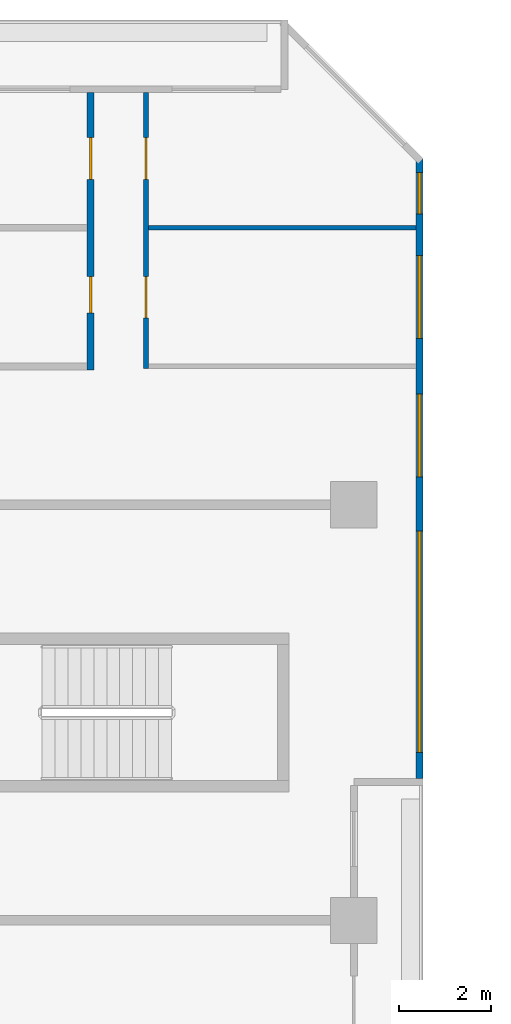
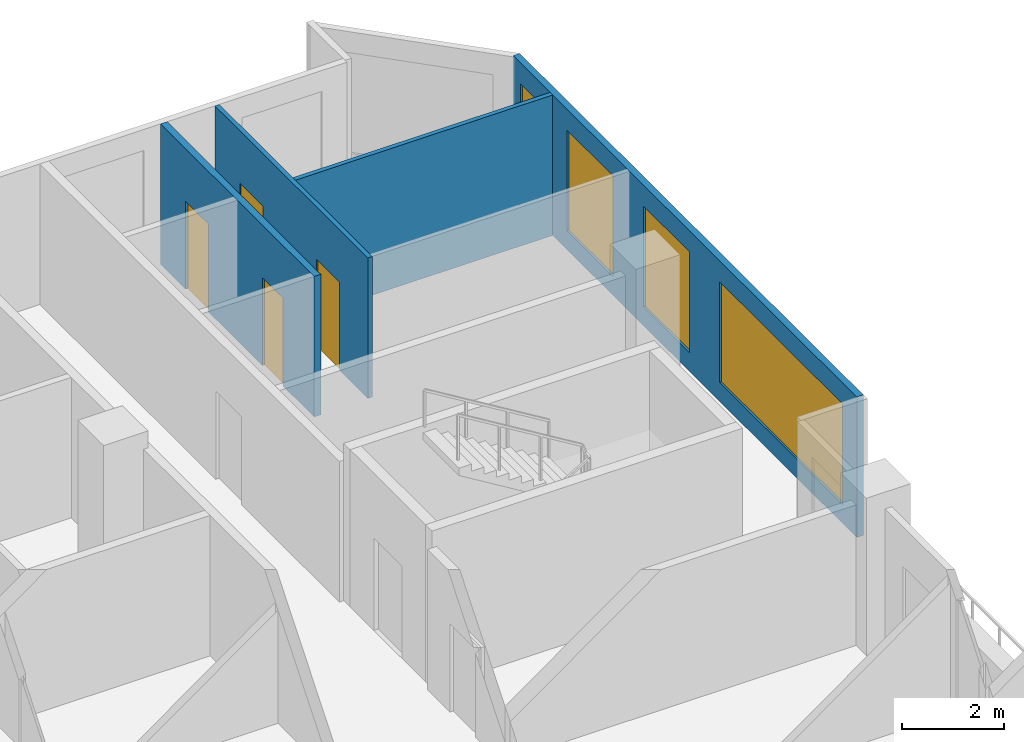
# One storey, part 11 of 15: 4 doors, 4 walls, 4 windows, 8 openings.
"""IFC4 building model written with IfcOpenShell, lengths in metres."""

from ifc_helpers import new_model, si_unit, direction, frame, frame_2d, origin, place, context, subcontext, project, spatial, rectangle, extrude, material, layer, layer_set, type_object, element, fill, save


model = new_model("IFC4")

# Units and contexts
model_context = context("Model", 3, precision=1e-05, world=origin(), true_north=direction((0.0, 1.0)))
body_context = subcontext(model_context, "Body", "Model", "MODEL_VIEW")
ifc_project = project(units=[si_unit("LENGTHUNIT", "METRE"), si_unit("AREAUNIT", "SQUARE_METRE"), si_unit("VOLUMEUNIT", "CUBIC_METRE"), si_unit("PLANEANGLEUNIT", "RADIAN"), si_unit("MASSUNIT", "GRAM", prefix="KILO")], contexts=[model_context])

# Site, building, storey
site_placement = place(None, origin())
site = spatial("IfcSite", under=ifc_project, at=site_placement, CompositionType="ELEMENT")
building_placement = place(site_placement, origin())
building = spatial("IfcBuilding", under=site, at=building_placement, Name="Chenar Terraces", CompositionType="ELEMENT")
storey_placement = place(building_placement, frame((0.0, 0.0, 133.14990234375)))
storey = spatial("IfcBuildingStorey", under=building, at=storey_placement, Name="L31", CompositionType="ELEMENT", Elevation=133.14990234375)

# Wall, openings, windows
ifc_material_1 = material(Name="Aluminium framed glazing", Category="aluminium")
ifc_layer_1 = layer(ifc_material_1, 0.14990234375)
ifc_layer_set_1 = layer_set([ifc_layer_1], Name="Aluminium framed glazing")
wall_type_1 = type_object("IfcWallType", Name="Glazed flush facade wall 150", PredefinedType="SOLIDWALL", material=ifc_layer_set_1)
wall_1_placement = place(storey_placement, frame((25.425048828125, 48.074951171875, 0.0), z_axis=(0.0, 0.0, 1.0), x_axis=(0.0, 1.0, 0.0)))
wall_1 = element("IfcWall", 1, at=wall_1_placement, inside=storey, type_object=wall_type_1, Name="Glazed flush facade wall", PredefinedType="SOLIDWALL", context=body_context, shape_type="SweptSolid", body=[
    extrude(rectangle(XDim=13.425048828125, YDim=0.14990234375, at=frame_2d((6.71240234375, 0.0))), origin(), (0.0, 0.0, 1.0), 3.35009765625),
])
opening_1_placement = place(wall_1_placement, frame((0.5625, 0.0, 0.449951171875)))
opening_1 = element("IfcOpeningElement", 2, at=opening_1_placement, cuts=wall_1, Name="Opening W480x240", PredefinedType="OPENING", context=body_context, shape_type="SweptSolid", body=[
    extrude(rectangle(XDim=4.800048828125, YDim=2.39990234375, at=frame_2d((2.39990234375, 1.199951171875))), frame((0.0, 0.0849609375, 0.0), z_axis=(0.0, -1.0, 0.0), x_axis=(1.0, 0.0, 0.0)), (0.0, 0.0, 1.0), 0.169921875),
])
opening_2_placement = place(wall_1_placement, frame((6.52490234375, 0.0, 0.449951171875)))
opening_2 = element("IfcOpeningElement", 3, at=opening_2_placement, cuts=wall_1, Name="Opening W180x240", PredefinedType="OPENING", context=body_context, shape_type="SweptSolid", body=[
    extrude(rectangle(XDim=1.800048828125, YDim=2.39990234375, at=frame_2d((0.89990234375, 1.199951171875))), frame((0.0, 0.0849609375, 0.0), z_axis=(0.0, -1.0, 0.0), x_axis=(1.0, 0.0, 0.0)), (0.0, 0.0, 1.0), 0.169921875),
])
opening_3_placement = place(wall_1_placement, frame((9.52490234375, 0.0, 0.449951171875)))
opening_3 = element("IfcOpeningElement", 4, at=opening_3_placement, cuts=wall_1, Name="Opening W180x240", PredefinedType="OPENING", context=body_context, shape_type="SweptSolid", body=[
    extrude(rectangle(XDim=1.800048828125, YDim=2.39990234375, at=frame_2d((0.89990234375, 1.199951171875))), frame((0.0, 0.0849609375, 0.0), z_axis=(0.0, -1.0, 0.0), x_axis=(1.0, 0.0, 0.0)), (0.0, 0.0, 1.0), 0.169921875),
])
opening_4_placement = place(wall_1_placement, frame((12.22509765625, 0.0, 0.449951171875)))
opening_4 = element("IfcOpeningElement", 5, at=opening_4_placement, cuts=wall_1, Name="Opening W90x240", PredefinedType="OPENING", context=body_context, shape_type="SweptSolid", body=[
    extrude(rectangle(XDim=0.89990234375, YDim=2.39990234375, at=frame_2d((0.449951171875, 1.199951171875))), frame((0.0, 0.0849609375, 0.0), z_axis=(0.0, -1.0, 0.0), x_axis=(1.0, 0.0, 0.0)), (0.0, 0.0, 1.0), 0.169921875),
])
ifc_material_2 = material(Name="Low emissivity double glazing, aluminium frame", Category="aluminium")
window_type_1 = type_object("IfcWindowType", Name="Fixed light 1800 x 2400", PartitioningType="SINGLE_PANEL", PredefinedType="WINDOW", material=ifc_material_2)
window_1_placement = place(opening_2_placement, origin())
window_1 = element("IfcWindow", 6, at=window_1_placement, inside=storey, type_object=window_type_1, Name="Window", OverallHeight=2.39990234375, OverallWidth=1.800048828125, PartitioningType="SINGLE_PANEL", PredefinedType="WINDOW", context=body_context, shape_type="SweptSolid", body=[
    extrude(rectangle(XDim=1.800048828125, YDim=2.39990234375, at=frame_2d((0.89990234375, 1.199951171875))), frame((0.0, 0.030029296875, 0.0), z_axis=(0.0, -1.0, 0.0), x_axis=(1.0, 0.0, 0.0)), (0.0, 0.0, 1.0), 0.06005859375),
])
fill(opening_2, window_1)
window_2_placement = place(opening_3_placement, origin())
window_2 = element("IfcWindow", 7, at=window_2_placement, inside=storey, type_object=window_type_1, Name="Window", OverallHeight=2.39990234375, OverallWidth=1.800048828125, PartitioningType="SINGLE_PANEL", PredefinedType="WINDOW", context=body_context, shape_type="SweptSolid", body=[
    extrude(rectangle(XDim=1.800048828125, YDim=2.39990234375, at=frame_2d((0.89990234375, 1.199951171875))), frame((0.0, 0.030029296875, 0.0), z_axis=(0.0, -1.0, 0.0), x_axis=(1.0, 0.0, 0.0)), (0.0, 0.0, 1.0), 0.06005859375),
])
fill(opening_3, window_2)
ifc_material_3 = material(Name="Low emissivity double glazing, aluminium frame", Category="aluminium")
window_type_2 = type_object("IfcWindowType", Name="Fixed light 4800 x 2400", PartitioningType="SINGLE_PANEL", PredefinedType="WINDOW", material=ifc_material_3)
window_3_placement = place(opening_1_placement, origin())
window_3 = element("IfcWindow", 8, at=window_3_placement, inside=storey, type_object=window_type_2, Name="Window", OverallHeight=2.39990234375, OverallWidth=4.800048828125, PartitioningType="SINGLE_PANEL", PredefinedType="WINDOW", context=body_context, shape_type="SweptSolid", body=[
    extrude(rectangle(XDim=4.800048828125, YDim=2.39990234375, at=frame_2d((2.39990234375, 1.199951171875))), frame((0.0, 0.030029296875, 0.0), z_axis=(0.0, -1.0, 0.0), x_axis=(1.0, 0.0, 0.0)), (0.0, 0.0, 1.0), 0.06005859375),
])
fill(opening_1, window_3)
ifc_material_4 = material(Name="Low emissivity double glazing, aluminium frame", Category="aluminium")
window_type_3 = type_object("IfcWindowType", Name="Fixed light 900 x 2400", PartitioningType="SINGLE_PANEL", PredefinedType="WINDOW", material=ifc_material_4)
window_4_placement = place(opening_4_placement, origin())
window_4 = element("IfcWindow", 9, at=window_4_placement, inside=storey, type_object=window_type_3, Name="Window", OverallHeight=2.39990234375, OverallWidth=0.89990234375, PartitioningType="SINGLE_PANEL", PredefinedType="WINDOW", context=body_context, shape_type="SweptSolid", body=[
    extrude(rectangle(XDim=0.89990234375, YDim=2.39990234375, at=frame_2d((0.449951171875, 1.199951171875))), frame((0.0, 0.030029296875, 0.0), z_axis=(0.0, -1.0, 0.0), x_axis=(1.0, 0.0, 0.0)), (0.0, 0.0, 1.0), 0.06005859375),
])
fill(opening_4, window_4)

# Wall, openings, doors
ifc_material_5 = material(Name="Gypsum board on steel studs", Category="steel")
ifc_layer_2 = layer(ifc_material_5, 0.10009765625)
ifc_layer_set_2 = layer_set([ifc_layer_2], Name="Gypsum board on steel studs")
wall_type_2 = type_object("IfcWallType", Name="Gypsum partition 100", PredefinedType="PARTITIONING", material=ifc_layer_set_2)
wall_2_placement = place(storey_placement, frame((19.5, 56.949951171875, 0.0), z_axis=(0.0, 0.0, 1.0), x_axis=(0.0, 1.0, 0.0)))
wall_2 = element("IfcWall", 10, at=wall_2_placement, inside=storey, type_object=wall_type_2, Name="Partition L31-051", PredefinedType="PARTITIONING", context=body_context, shape_type="SweptSolid", body=[
    extrude(rectangle(XDim=5.97607421875, YDim=0.10009765625, at=frame_2d((2.988037109375, 0.0))), origin(), (0.0, 0.0, 1.0), 3.35009765625),
])
opening_5_placement = place(wall_2_placement, frame((1.10009765625, 0.0, 0.0)))
opening_5 = element("IfcOpeningElement", 11, at=opening_5_placement, cuts=wall_2, Name="Opening DL31-34", PredefinedType="OPENING", context=body_context, shape_type="SweptSolid", body=[
    extrude(rectangle(XDim=0.89990234375, YDim=2.10009765625, at=frame_2d((0.449951171875, 1.050048828125))), frame((0.0, 0.06005859375, 0.0), z_axis=(0.0, -1.0, 0.0), x_axis=(1.0, 0.0, 0.0)), (0.0, 0.0, 1.0), 0.1201171875),
])
opening_6_placement = place(wall_2_placement, frame((4.10009765625, 0.0, 0.0)))
opening_6 = element("IfcOpeningElement", 12, at=opening_6_placement, cuts=wall_2, Name="Opening DL31-35", PredefinedType="OPENING", context=body_context, shape_type="SweptSolid", body=[
    extrude(rectangle(XDim=0.89990234375, YDim=2.10009765625, at=frame_2d((0.449951171875, 1.050048828125))), frame((0.0, 0.06005859375, 0.0), z_axis=(0.0, -1.0, 0.0), x_axis=(1.0, 0.0, 0.0)), (0.0, 0.0, 1.0), 0.1201171875),
])
ifc_material_6 = material(Name="Veneered timber door leaf", Category="wood")
door_type_1 = type_object("IfcDoorType", Name="Door 900 x 2100", OperationType="SINGLE_SWING_LEFT", PredefinedType="DOOR", material=ifc_material_6)
door_1_placement = place(opening_5_placement, frame((0.89990234375, 0.0, 0.0), z_axis=(0.0, 0.0, 1.0), x_axis=(-1.0, 0.0, 0.0)))
door_1 = element("IfcDoor", 13, at=door_1_placement, inside=storey, type_object=door_type_1, Name="Door DL31-34", OperationType="SINGLE_SWING_RIGHT", OverallHeight=2.10009765625, OverallWidth=0.89990234375, PredefinedType="DOOR", context=body_context, shape_type="SweptSolid", body=[
    extrude(rectangle(XDim=0.89990234375, YDim=2.10009765625, at=frame_2d((0.449951171875, 1.050048828125))), frame((0.0, 0.02490234375, 0.0), z_axis=(0.0, -1.0, 0.0), x_axis=(1.0, 0.0, 0.0)), (0.0, 0.0, 1.0), 0.050048828125),
])
fill(opening_5, door_1)
door_2_placement = place(opening_6_placement, frame((0.89990234375, 0.0, 0.0), z_axis=(0.0, 0.0, 1.0), x_axis=(-1.0, 0.0, 0.0)))
door_2 = element("IfcDoor", 14, at=door_2_placement, inside=storey, type_object=door_type_1, Name="Door DL31-35", OperationType="SINGLE_SWING_RIGHT", OverallHeight=2.10009765625, OverallWidth=0.89990234375, PredefinedType="DOOR", context=body_context, shape_type="SweptSolid", body=[
    extrude(rectangle(XDim=0.89990234375, YDim=2.10009765625, at=frame_2d((0.449951171875, 1.050048828125))), frame((0.0, 0.02490234375, 0.0), z_axis=(0.0, -1.0, 0.0), x_axis=(1.0, 0.0, 0.0)), (0.0, 0.0, 1.0), 0.050048828125),
])
fill(opening_6, door_2)

# Wall
wall_3_placement = place(storey_placement, frame((19.550048828125, 60.0, 0.0), z_axis=(0.0, 0.0, 1.0), x_axis=(1.0, 0.0, 0.0)))
element("IfcWall", 15, at=wall_3_placement, inside=storey, type_object=wall_type_2, Name="Partition L31-053", PredefinedType="PARTITIONING", context=body_context, shape_type="SweptSolid", body=[
    extrude(rectangle(XDim=5.801025390625, YDim=0.10009765625, at=frame_2d((2.900390625, 0.0))), origin(), (0.0, 0.0, 1.0), 3.35009765625),
])

# Wall, openings, doors
ifc_material_7 = material(Name="Moisture-resistant gypsum board on steel studs", Category="steel")
ifc_layer_3 = layer(ifc_material_7, 0.14990234375)
ifc_layer_set_3 = layer_set([ifc_layer_3], Name="Moisture-resistant gypsum board on steel studs")
wall_type_3 = type_object("IfcWallType", Name="Wet-room partition 150", PredefinedType="PARTITIONING", material=ifc_layer_set_3)
wall_4_placement = place(storey_placement, frame((18.300048828125, 56.925048828125, 0.0), z_axis=(0.0, 0.0, 1.0), x_axis=(0.0, 1.0, 0.0)))
wall_4 = element("IfcWall", 16, at=wall_4_placement, inside=storey, type_object=wall_type_3, Name="Partition L31-049", PredefinedType="PARTITIONING", context=body_context, shape_type="SweptSolid", body=[
    extrude(rectangle(XDim=6.0009765625, YDim=0.14990234375, at=frame_2d((3.00048828125, 0.0))), origin(), (0.0, 0.0, 1.0), 3.35009765625),
])
opening_7_placement = place(wall_4_placement, frame((1.22509765625, 0.0, 0.0)))
opening_7 = element("IfcOpeningElement", 17, at=opening_7_placement, cuts=wall_4, Name="Opening DL31-33", PredefinedType="OPENING", context=body_context, shape_type="SweptSolid", body=[
    extrude(rectangle(XDim=0.800048828125, YDim=2.10009765625, at=frame_2d((0.39990234375, 1.050048828125))), frame((0.0, 0.0849609375, 0.0), z_axis=(0.0, -1.0, 0.0), x_axis=(1.0, 0.0, 0.0)), (0.0, 0.0, 1.0), 0.169921875),
])
opening_8_placement = place(wall_4_placement, frame((4.125, 0.0, 0.0)))
opening_8 = element("IfcOpeningElement", 18, at=opening_8_placement, cuts=wall_4, Name="Opening DL31-36", PredefinedType="OPENING", context=body_context, shape_type="SweptSolid", body=[
    extrude(rectangle(XDim=0.89990234375, YDim=2.10009765625, at=frame_2d((0.449951171875, 1.050048828125))), frame((0.0, 0.0849609375, 0.0), z_axis=(0.0, -1.0, 0.0), x_axis=(1.0, 0.0, 0.0)), (0.0, 0.0, 1.0), 0.169921875),
])
ifc_material_8 = material(Name="Veneered timber door leaf", Category="wood")
door_type_2 = type_object("IfcDoorType", Name="Door 800 x 2100", OperationType="SINGLE_SWING_LEFT", PredefinedType="DOOR", material=ifc_material_8)
door_3_placement = place(opening_7_placement, origin())
door_3 = element("IfcDoor", 19, at=door_3_placement, inside=storey, type_object=door_type_2, Name="Door DL31-33", OperationType="SINGLE_SWING_RIGHT", OverallHeight=2.10009765625, OverallWidth=0.800048828125, PredefinedType="DOOR", context=body_context, shape_type="SweptSolid", body=[
    extrude(rectangle(XDim=0.800048828125, YDim=2.10009765625, at=frame_2d((0.39990234375, 1.050048828125))), frame((0.0, 0.02490234375, 0.0), z_axis=(0.0, -1.0, 0.0), x_axis=(1.0, 0.0, 0.0)), (0.0, 0.0, 1.0), 0.050048828125),
])
fill(opening_7, door_3)
door_4_placement = place(opening_8_placement, origin())
door_4 = element("IfcDoor", 20, at=door_4_placement, inside=storey, type_object=door_type_1, Name="Door DL31-36", OperationType="SINGLE_SWING_LEFT", OverallHeight=2.10009765625, OverallWidth=0.89990234375, PredefinedType="DOOR", context=body_context, shape_type="SweptSolid", body=[
    extrude(rectangle(XDim=0.89990234375, YDim=2.10009765625, at=frame_2d((0.449951171875, 1.050048828125))), frame((0.0, 0.02490234375, 0.0), z_axis=(0.0, -1.0, 0.0), x_axis=(1.0, 0.0, 0.0)), (0.0, 0.0, 1.0), 0.050048828125),
])
fill(opening_8, door_4)

save(model, "model.ifc")
